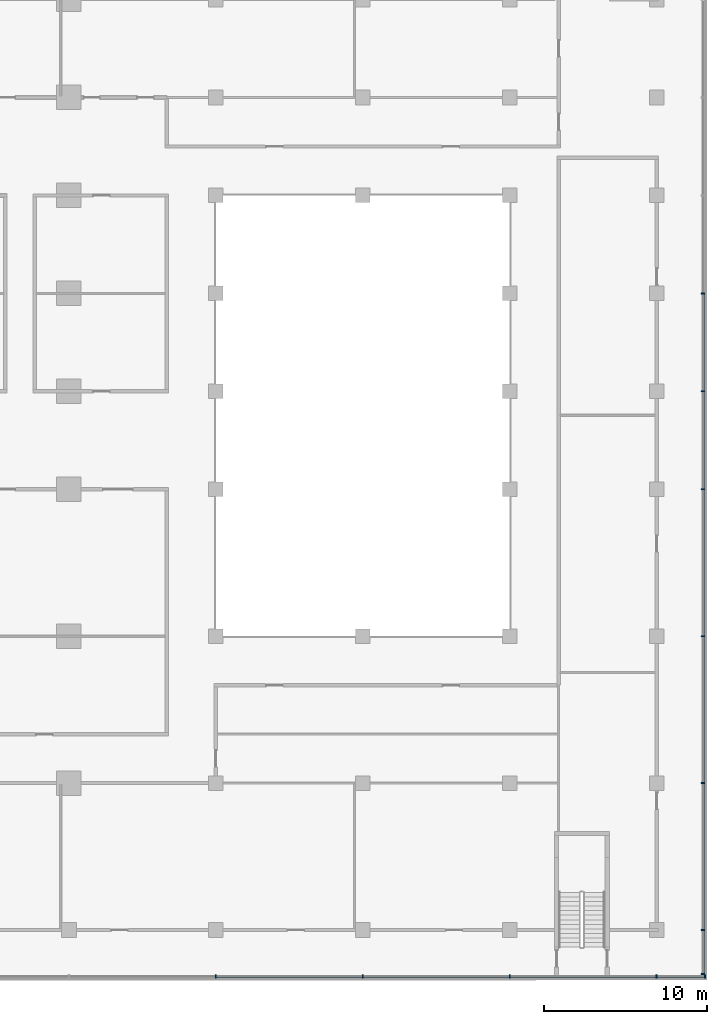
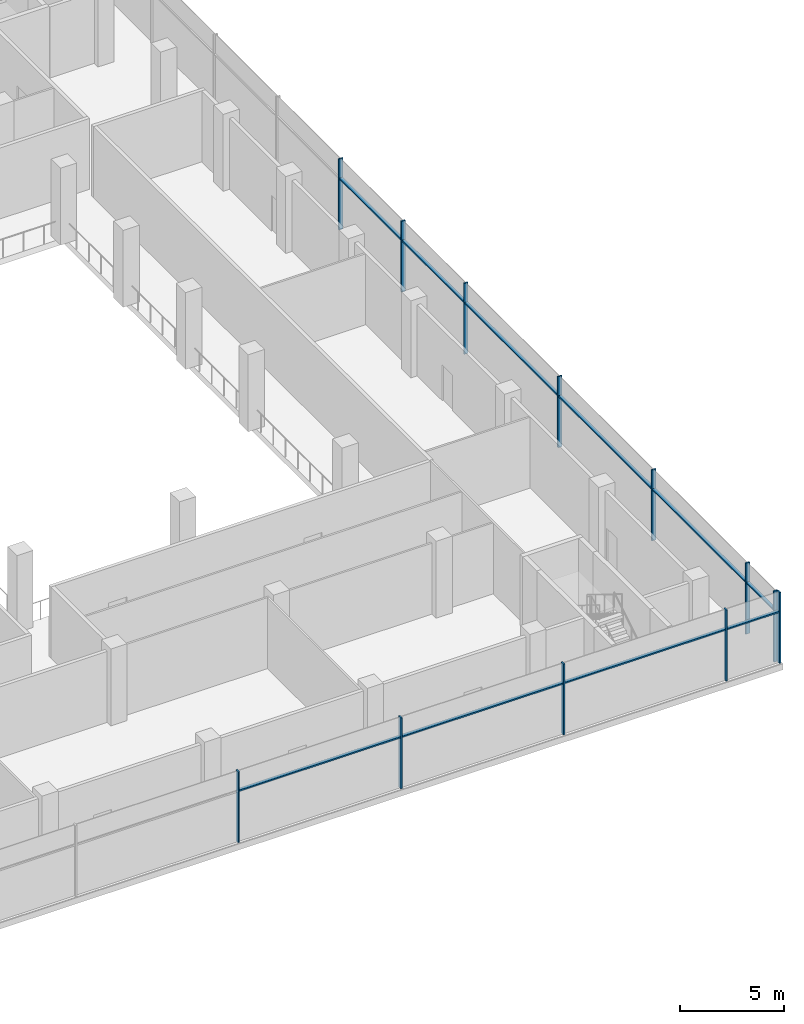
# One storey, part 5 of 22: 22 members, 2 elements without a shape of their own.
"""IFC4 building model written with IfcOpenShell, lengths in metres."""

import ifcopenshell
import ifcopenshell.guid

model = None  # the IFC model being written
_history = None  # IfcOwnerHistory: only IFC2X3 demands one
_inside = {}  # id of a spatial element -> (the spatial element, [elements in it])
_under = {}  # id of a project, library or spatial element -> (it, [spatial elements below it])
_declared = {}  # id of a project -> (the project, [libraries it declares])
_typed = {}  # id of a type object -> (the type object, [elements of that type])
_made_of = {}  # id of a material, layer set ... -> (it, [elements and type objects made of it])


def new_model(schema):
    """Start an empty IFC model of exactly this schema.

    Asked for "IFC4X3", IfcOpenShell would pick the latest addendum, in which some entities
    have other attributes; the version numbers below select the first issue.
    IFC2X3 requires an IfcOwnerHistory on every rooted entity: one is made here for all.
    """
    global model, _history
    if schema == "IFC4X3":
        model = ifcopenshell.file(schema_version=(4, 3, 0, 0))
    else:
        model = ifcopenshell.file(schema=schema)
    _inside.clear()
    _under.clear()
    _declared.clear()
    _typed.clear()
    _made_of.clear()
    _history = None
    if model.schema == "IFC2X3":
        org = make("IfcOrganization", Name="unknown")
        user = make(
            "IfcPersonAndOrganization",
            ThePerson=make("IfcPerson", FamilyName="unknown"),
            TheOrganization=org,
        )
        app = make(
            "IfcApplication",
            ApplicationDeveloper=org,
            Version="unknown",
            ApplicationFullName="unknown",
            ApplicationIdentifier="unknown",
        )
        _history = make(
            "IfcOwnerHistory",
            OwningUser=user,
            OwningApplication=app,
            ChangeAction="ADDED",
            CreationDate=0,
        )
    return model


def make(cls, **values):
    """One entity of the class cls with the attributes given. An attribute that is None is left unset."""
    return model.create_entity(
        cls, **{name: value for name, value in values.items() if value is not None}
    )


def rooted(cls, **values):
    """An entity with a GlobalId (a new one), such as an element, a storey or a relation."""
    return make(cls, GlobalId=ifcopenshell.guid.new(), OwnerHistory=_history, **values)


def si_unit(unit_type, name, prefix=None):
    """IfcSIUnit, for example si_unit("LENGTHUNIT", "METRE", prefix="MILLI")."""
    return make("IfcSIUnit", UnitType=unit_type, Prefix=prefix, Name=name)


def assignment(units):
    """IfcUnitAssignment: the units of a project."""
    return None if units is None else make("IfcUnitAssignment", Units=units)


def point(xyz):
    """IfcCartesianPoint."""
    return None if xyz is None else make("IfcCartesianPoint", Coordinates=xyz)


def direction(xyz):
    """IfcDirection."""
    return None if xyz is None else make("IfcDirection", DirectionRatios=xyz)


def frame(location, z_axis=None, x_axis=None):
    """IfcAxis2Placement3D, a coordinate frame: its origin and axes. An axis left out is left unset."""
    return make(
        "IfcAxis2Placement3D",
        Location=point(location),
        Axis=direction(z_axis),
        RefDirection=direction(x_axis),
    )


def frame_2d(location, x_axis=None):
    """IfcAxis2Placement2D, a coordinate frame in the plane: its origin and x axis."""
    return make(
        "IfcAxis2Placement2D", Location=point(location), RefDirection=direction(x_axis)
    )


def origin():
    """The frame at (0, 0, 0) with its axes left unset."""
    return frame((0.0, 0.0, 0.0))


def origin_2d():
    """The frame at (0, 0) in the plane with its x axis left unset."""
    return frame_2d((0.0, 0.0))


def place(relative_to, where):
    """IfcLocalPlacement: puts the frame where relative to a parent placement (None: the world)."""
    return make(
        "IfcLocalPlacement", PlacementRelTo=relative_to, RelativePlacement=where
    )


def context(
    kind, dimensions, precision=None, world=None, true_north=None, identifier=None
):
    """IfcGeometricRepresentationContext, for example the 3D "Model" context."""
    return make(
        "IfcGeometricRepresentationContext",
        ContextIdentifier=identifier,
        ContextType=kind,
        CoordinateSpaceDimension=dimensions,
        Precision=precision,
        WorldCoordinateSystem=world,
        TrueNorth=true_north,
    )


def subcontext(parent, identifier, kind, view, scale=None):
    """IfcGeometricRepresentationSubContext, for example "Body" below "Model"."""
    return make(
        "IfcGeometricRepresentationSubContext",
        ContextIdentifier=identifier,
        ContextType=kind,
        ParentContext=parent,
        TargetScale=scale,
        TargetView=view,
    )


def project(units=None, contexts=None):
    """IfcProject with its units and contexts."""
    return rooted(
        "IfcProject",
        Name="project",
        RepresentationContexts=contexts,
        UnitsInContext=assignment(units),
    )


def spatial(cls, under=None, at=None, **own):
    """A site, building, storey or space (cls), placed at a placement, below another one or the project."""
    s = rooted(cls, ObjectPlacement=at, **own)
    if under is not None:
        _under.setdefault(under.id(), (under, []))[1].append(s)
    return s


def profile(cls, at=None, kind="AREA", **sizes):
    """A parametric profile (cls). Its sizes go by their IFC names, for example OverallWidth=200.0."""
    return make(cls, ProfileType=kind, Position=at, **sizes)


def rectangle(**sizes):
    """IfcRectangleProfileDef."""
    return profile("IfcRectangleProfileDef", **sizes)


def extrude(swept, where, along, depth):
    """IfcExtrudedAreaSolid: the profile swept, set in the frame where, extruded along a direction by depth."""
    return make(
        "IfcExtrudedAreaSolid",
        SweptArea=swept,
        Position=where,
        ExtrudedDirection=direction(along),
        Depth=depth,
    )


def shape(context_of_items, identifier, shape_type, items):
    """IfcShapeRepresentation: the items that make up one representation, for example the "Body"."""
    return make(
        "IfcShapeRepresentation",
        ContextOfItems=context_of_items,
        RepresentationIdentifier=identifier,
        RepresentationType=shape_type,
        Items=items,
    )


def material(Name=None, Category=None):
    """IfcMaterial."""
    return make("IfcMaterial", Name=Name, Category=Category)


def material_profile(
    of_material, cross_section, Name=None, Category=None, Priority=None
):
    """IfcMaterialProfile: a cross section and its material."""
    return make(
        "IfcMaterialProfile",
        Name=Name,
        Material=of_material,
        Profile=cross_section,
        Priority=Priority,
        Category=Category,
    )


def profile_set(profiles, Name=None, composite=None):
    """IfcMaterialProfileSet."""
    return make(
        "IfcMaterialProfileSet",
        Name=Name,
        MaterialProfiles=profiles,
        CompositeProfile=composite,
    )


def made_of(thing, what):
    """Note that an element or type object is made of a material, layer set ...; save() writes the relation."""
    if what is not None:
        _made_of.setdefault(what.id(), (what, []))[1].append(thing)
    return thing


def type_object(cls, material=None, **own):
    """A type object (cls), such as IfcWallType, which elements share."""
    return made_of(rooted(cls, **own), material)


def element(
    cls,
    number,
    at=None,
    inside=None,
    cuts=None,
    type_object=None,
    material=None,
    context=None,
    identifier="Body",
    shape_type=None,
    held_by="IfcProductDefinitionShape",
    body=None,
    shapes=None,
    **own,
):
    """One element of the class cls, such as IfcWall. Its Tag is "e" and its number.

    at: its placement. inside: the storey or other place that contains it. cuts: it is an
    opening in that element (IfcRelVoidsElement). A single representation is given by context,
    identifier, shape_type and body (its items); several are given by shapes. held_by: the class
    of the entity that holds the representations. save() writes the other relations.
    """
    e = rooted(cls, Tag="e%d" % number, ObjectPlacement=at, **own)
    if body is not None:
        shapes = [shape(context, identifier, shape_type, body)]
    if shapes is not None:
        e.Representation = make(held_by, Representations=shapes)
    if inside is not None:
        _inside.setdefault(inside.id(), (inside, []))[1].append(e)
    if cuts is not None:
        rooted(
            "IfcRelVoidsElement", RelatingBuildingElement=cuts, RelatedOpeningElement=e
        )
    if type_object is not None:
        _typed.setdefault(type_object.id(), (type_object, []))[1].append(e)
    return made_of(e, material)


def aggregate(whole, parts):
    """IfcRelAggregates: a whole, such as a stair, and the parts it consists of."""
    return rooted("IfcRelAggregates", RelatingObject=whole, RelatedObjects=parts)


def save(model, path):
    """Write the relations noted so far, then the file.

    IfcRelAggregates (storeys below a building ...), IfcRelContainedInSpatialStructure (elements
    in a storey), IfcRelDefinesByType, IfcRelAssociatesMaterial and IfcRelDeclares: one each for
    every whole, place, type object, material and project.
    """
    for whole, parts in _under.values():
        aggregate(whole, parts)
    for where, things in _inside.values():
        rooted(
            "IfcRelContainedInSpatialStructure",
            RelatedElements=things,
            RelatingStructure=where,
        )
    for kind, things in _typed.values():
        rooted("IfcRelDefinesByType", RelatedObjects=things, RelatingType=kind)
    for what, things in _made_of.values():
        rooted("IfcRelAssociatesMaterial", RelatedObjects=things, RelatingMaterial=what)
    for by, libraries in _declared.values():
        rooted("IfcRelDeclares", RelatingContext=by, RelatedDefinitions=libraries)
    model.write(path)


model = new_model("IFC4")

# Units and contexts
model_context = context("Model", 3, precision=1e-05, world=origin(), true_north=direction((0.0, 1.0)))
body_context = subcontext(model_context, "Body", "Model", "MODEL_VIEW")
ifc_project = project(units=[si_unit("LENGTHUNIT", "METRE"), si_unit("AREAUNIT", "SQUARE_METRE"), si_unit("VOLUMEUNIT", "CUBIC_METRE"), si_unit("PLANEANGLEUNIT", "RADIAN"), si_unit("MASSUNIT", "GRAM", prefix="KILO")], contexts=[model_context])

# Site, building, storey
site_placement = place(None, origin())
site = spatial("IfcSite", under=ifc_project, at=site_placement, CompositionType="ELEMENT")
building_placement = place(site_placement, origin())
building = spatial("IfcBuilding", under=site, at=building_placement, Name="Finial Court Residences", CompositionType="ELEMENT")
storey_placement = place(building_placement, frame((0.0, 0.0, 23.5)))
storey = spatial("IfcBuildingStorey", under=building, at=storey_placement, Name="L04", CompositionType="ELEMENT", Elevation=23.5)

# Curtain wall, members
ifc_material = material(Name="Bronze anodised aluminium", Category="aluminium")
curtain_wall_type = type_object("IfcCurtainWallType", Name="Podium curtain wall", PredefinedType="NOTDEFINED", material=ifc_material)
curtain_wall_1_placement = place(storey_placement, origin())
curtain_wall_1 = element("IfcCurtainWall", 1, at=curtain_wall_1_placement, inside=storey, type_object=curtain_wall_type, Name="E-L04-CW-E2", PredefinedType="NOTDEFINED")
ifc_material_profile_1 = material_profile(ifc_material, rectangle(XDim=0.22509765625, YDim=0.080078125, at=origin_2d()), Name="CW5 mullion 80 x 225")
ifc_profile_set_1 = profile_set([ifc_material_profile_1], Name="Bronze anodised aluminium")
member_type_1 = type_object("IfcMemberType", Name="CW5 mullion 80 x 225", PredefinedType="MULLION", material=ifc_profile_set_1)
member_1_placement = place(storey_placement, frame((61.35009765625, -34.197509765625, 0.0), z_axis=(0.0, 0.0, 1.0), x_axis=(-1.0, 0.0, 0.0)))
member_1 = element("IfcMember", 2, at=member_1_placement, type_object=member_type_1, Name="CW5 mullion 1", PredefinedType="MULLION", context=body_context, shape_type="SweptSolid", body=[
    extrude(rectangle(XDim=0.22509765625, YDim=0.080078125, at=origin_2d()), origin(), (0.0, 0.0, 1.0), 4.14990234375),
])
member_2_placement = place(storey_placement, frame((61.35009765625, -31.5, 0.0), z_axis=(0.0, 0.0, 1.0), x_axis=(-1.0, 0.0, 0.0)))
member_2 = element("IfcMember", 3, at=member_2_placement, type_object=member_type_1, Name="CW5 mullion 2", PredefinedType="MULLION", context=body_context, shape_type="SweptSolid", body=[
    extrude(rectangle(XDim=0.22509765625, YDim=0.080078125, at=origin_2d()), origin(), (0.0, 0.0, 1.0), 4.14990234375),
])
member_3_placement = place(storey_placement, frame((61.35009765625, -22.5, 0.0), z_axis=(0.0, 0.0, 1.0), x_axis=(-1.0, 0.0, 0.0)))
member_3 = element("IfcMember", 4, at=member_3_placement, type_object=member_type_1, Name="CW5 mullion 3", PredefinedType="MULLION", context=body_context, shape_type="SweptSolid", body=[
    extrude(rectangle(XDim=0.22509765625, YDim=0.080078125, at=origin_2d()), origin(), (0.0, 0.0, 1.0), 4.14990234375),
])
member_4_placement = place(storey_placement, frame((61.35009765625, -13.5, 0.0), z_axis=(0.0, 0.0, 1.0), x_axis=(-1.0, 0.0, 0.0)))
member_4 = element("IfcMember", 5, at=member_4_placement, type_object=member_type_1, Name="CW5 mullion 4", PredefinedType="MULLION", context=body_context, shape_type="SweptSolid", body=[
    extrude(rectangle(XDim=0.22509765625, YDim=0.080078125, at=origin_2d()), origin(), (0.0, 0.0, 1.0), 4.14990234375),
])
member_5_placement = place(storey_placement, frame((61.35009765625, -4.5, 0.0), z_axis=(0.0, 0.0, 1.0), x_axis=(-1.0, 0.0, 0.0)))
member_5 = element("IfcMember", 6, at=member_5_placement, type_object=member_type_1, Name="CW5 mullion 5", PredefinedType="MULLION", context=body_context, shape_type="SweptSolid", body=[
    extrude(rectangle(XDim=0.22509765625, YDim=0.080078125, at=origin_2d()), origin(), (0.0, 0.0, 1.0), 4.14990234375),
])
member_6_placement = place(storey_placement, frame((61.35009765625, 1.5, 0.0), z_axis=(0.0, 0.0, 1.0), x_axis=(-1.0, 0.0, 0.0)))
member_6 = element("IfcMember", 7, at=member_6_placement, type_object=member_type_1, Name="CW5 mullion 6", PredefinedType="MULLION", context=body_context, shape_type="SweptSolid", body=[
    extrude(rectangle(XDim=0.22509765625, YDim=0.080078125, at=origin_2d()), origin(), (0.0, 0.0, 1.0), 4.14990234375),
])
member_7_placement = place(storey_placement, frame((61.35009765625, 7.5, 0.0), z_axis=(0.0, 0.0, 1.0), x_axis=(-1.0, 0.0, 0.0)))
member_7 = element("IfcMember", 8, at=member_7_placement, type_object=member_type_1, Name="CW5 mullion 7", PredefinedType="MULLION", context=body_context, shape_type="SweptSolid", body=[
    extrude(rectangle(XDim=0.22509765625, YDim=0.080078125, at=origin_2d()), origin(), (0.0, 0.0, 1.0), 4.14990234375),
])

curtain_wall_2_placement = place(storey_placement, origin())
curtain_wall_2 = element("IfcCurtainWall", 9, at=curtain_wall_2_placement, inside=storey, type_object=curtain_wall_type, Name="E-L04-CW-S3", PredefinedType="NOTDEFINED")
member_8_placement = place(storey_placement, frame((31.5, -34.35009765625, 0.0), z_axis=(0.0, 0.0, 1.0), x_axis=(0.0, 1.0, 0.0)))
member_8 = element("IfcMember", 10, at=member_8_placement, type_object=member_type_1, Name="CW5 mullion 11", PredefinedType="MULLION", context=body_context, shape_type="SweptSolid", body=[
    extrude(rectangle(XDim=0.22509765625, YDim=0.080078125, at=origin_2d()), origin(), (0.0, 0.0, 1.0), 4.14990234375),
])
member_9_placement = place(storey_placement, frame((40.5, -34.35009765625, 0.0), z_axis=(0.0, 0.0, 1.0), x_axis=(0.0, 1.0, 0.0)))
member_9 = element("IfcMember", 11, at=member_9_placement, type_object=member_type_1, Name="CW5 mullion 12", PredefinedType="MULLION", context=body_context, shape_type="SweptSolid", body=[
    extrude(rectangle(XDim=0.22509765625, YDim=0.080078125, at=origin_2d()), origin(), (0.0, 0.0, 1.0), 4.14990234375),
])
member_10_placement = place(storey_placement, frame((49.5, -34.35009765625, 0.0), z_axis=(0.0, 0.0, 1.0), x_axis=(0.0, 1.0, 0.0)))
member_10 = element("IfcMember", 12, at=member_10_placement, type_object=member_type_1, Name="CW5 mullion 13", PredefinedType="MULLION", context=body_context, shape_type="SweptSolid", body=[
    extrude(rectangle(XDim=0.22509765625, YDim=0.080078125, at=origin_2d()), origin(), (0.0, 0.0, 1.0), 4.14990234375),
])
member_11_placement = place(storey_placement, frame((58.5, -34.35009765625, 0.0), z_axis=(0.0, 0.0, 1.0), x_axis=(0.0, 1.0, 0.0)))
member_11 = element("IfcMember", 13, at=member_11_placement, type_object=member_type_1, Name="CW5 mullion 14", PredefinedType="MULLION", context=body_context, shape_type="SweptSolid", body=[
    extrude(rectangle(XDim=0.22509765625, YDim=0.080078125, at=origin_2d()), origin(), (0.0, 0.0, 1.0), 4.14990234375),
])
member_12_placement = place(storey_placement, frame((61.4599609375, -34.35009765625, 0.0), z_axis=(0.0, 0.0, 1.0), x_axis=(0.0, 1.0, 0.0)))
member_12 = element("IfcMember", 14, at=member_12_placement, type_object=member_type_1, Name="CW5 mullion 15", PredefinedType="MULLION", context=body_context, shape_type="SweptSolid", body=[
    extrude(rectangle(XDim=0.22509765625, YDim=0.080078125, at=origin_2d()), origin(), (0.0, 0.0, 1.0), 4.14990234375),
])

# Member
ifc_material_profile_2 = material_profile(ifc_material, rectangle(XDim=0.175048828125, YDim=0.080078125, at=origin_2d()), Name="CW5 transom 80 x 175")
ifc_profile_set_2 = profile_set([ifc_material_profile_2], Name="Bronze anodised aluminium")
member_type_2 = type_object("IfcMemberType", Name="CW5 transom 80 x 175", PredefinedType="USERDEFINED", material=ifc_profile_set_2)
member_13_placement = place(storey_placement, frame((61.35009765625, -34.157470703125, 3.0), z_axis=(0.0, 1.0, 0.0), x_axis=(-1.0, 0.0, 0.0)))
member_13 = element("IfcMember", 15, at=member_13_placement, type_object=member_type_2, Name="CW5 transom 1.1", ObjectType="TRANSOM", PredefinedType="USERDEFINED", context=body_context, shape_type="SweptSolid", body=[
    extrude(rectangle(XDim=0.175048828125, YDim=0.080078125, at=origin_2d()), origin(), (0.0, 0.0, 1.0), 2.617431640625),
])

member_14_placement = place(storey_placement, frame((61.35009765625, -31.4599609375, 3.0), z_axis=(0.0, 1.0, 0.0), x_axis=(-1.0, 0.0, 0.0)))
member_14 = element("IfcMember", 16, at=member_14_placement, type_object=member_type_2, Name="CW5 transom 2.1", ObjectType="TRANSOM", PredefinedType="USERDEFINED", context=body_context, shape_type="SweptSolid", body=[
    extrude(rectangle(XDim=0.175048828125, YDim=0.080078125, at=origin_2d()), origin(), (0.0, 0.0, 1.0), 8.919921875),
])

member_15_placement = place(storey_placement, frame((61.35009765625, -22.4599609375, 3.0), z_axis=(0.0, 1.0, 0.0), x_axis=(-1.0, 0.0, 0.0)))
member_15 = element("IfcMember", 17, at=member_15_placement, type_object=member_type_2, Name="CW5 transom 3.1", ObjectType="TRANSOM", PredefinedType="USERDEFINED", context=body_context, shape_type="SweptSolid", body=[
    extrude(rectangle(XDim=0.175048828125, YDim=0.080078125, at=origin_2d()), origin(), (0.0, 0.0, 1.0), 8.919921875),
])

member_16_placement = place(storey_placement, frame((61.35009765625, -13.4599609375, 3.0), z_axis=(0.0, 1.0, 0.0), x_axis=(-1.0, 0.0, 0.0)))
member_16 = element("IfcMember", 18, at=member_16_placement, type_object=member_type_2, Name="CW5 transom 4.1", ObjectType="TRANSOM", PredefinedType="USERDEFINED", context=body_context, shape_type="SweptSolid", body=[
    extrude(rectangle(XDim=0.175048828125, YDim=0.080078125, at=origin_2d()), origin(), (0.0, 0.0, 1.0), 8.919921875),
])

member_17_placement = place(storey_placement, frame((61.35009765625, -4.4599609375, 3.0), z_axis=(0.0, 1.0, 0.0), x_axis=(-1.0, 0.0, 0.0)))
member_17 = element("IfcMember", 19, at=member_17_placement, type_object=member_type_2, Name="CW5 transom 5.1", ObjectType="TRANSOM", PredefinedType="USERDEFINED", context=body_context, shape_type="SweptSolid", body=[
    extrude(rectangle(XDim=0.175048828125, YDim=0.080078125, at=origin_2d()), origin(), (0.0, 0.0, 1.0), 5.919921875),
])

member_18_placement = place(storey_placement, frame((61.35009765625, 1.5400390625, 3.0), z_axis=(0.0, 1.0, 0.0), x_axis=(-1.0, 0.0, 0.0)))
member_18 = element("IfcMember", 20, at=member_18_placement, type_object=member_type_2, Name="CW5 transom 6.1", ObjectType="TRANSOM", PredefinedType="USERDEFINED", context=body_context, shape_type="SweptSolid", body=[
    extrude(rectangle(XDim=0.175048828125, YDim=0.080078125, at=origin_2d()), origin(), (0.0, 0.0, 1.0), 5.919921875),
])

aggregate(curtain_wall_1, [member_1, member_2, member_3, member_4, member_5, member_6, member_7, member_13, member_14, member_15, member_16, member_17, member_18])

member_19_placement = place(storey_placement, frame((31.5400390625, -34.35009765625, 3.0), z_axis=(1.0, 0.0, 0.0), x_axis=(0.0, 1.0, 0.0)))
member_19 = element("IfcMember", 21, at=member_19_placement, type_object=member_type_2, Name="CW5 transom 11.1", ObjectType="TRANSOM", PredefinedType="USERDEFINED", context=body_context, shape_type="SweptSolid", body=[
    extrude(rectangle(XDim=0.175048828125, YDim=0.080078125, at=origin_2d()), origin(), (0.0, 0.0, 1.0), 8.919921875),
])

member_20_placement = place(storey_placement, frame((40.5400390625, -34.35009765625, 3.0), z_axis=(1.0, 0.0, 0.0), x_axis=(0.0, 1.0, 0.0)))
member_20 = element("IfcMember", 22, at=member_20_placement, type_object=member_type_2, Name="CW5 transom 12.1", ObjectType="TRANSOM", PredefinedType="USERDEFINED", context=body_context, shape_type="SweptSolid", body=[
    extrude(rectangle(XDim=0.175048828125, YDim=0.080078125, at=origin_2d()), origin(), (0.0, 0.0, 1.0), 8.919921875),
])

member_21_placement = place(storey_placement, frame((49.5400390625, -34.35009765625, 3.0), z_axis=(1.0, 0.0, 0.0), x_axis=(0.0, 1.0, 0.0)))
member_21 = element("IfcMember", 23, at=member_21_placement, type_object=member_type_2, Name="CW5 transom 13.1", ObjectType="TRANSOM", PredefinedType="USERDEFINED", context=body_context, shape_type="SweptSolid", body=[
    extrude(rectangle(XDim=0.175048828125, YDim=0.080078125, at=origin_2d()), origin(), (0.0, 0.0, 1.0), 8.919921875),
])

member_22_placement = place(storey_placement, frame((58.5400390625, -34.35009765625, 3.0), z_axis=(1.0, 0.0, 0.0), x_axis=(0.0, 1.0, 0.0)))
member_22 = element("IfcMember", 24, at=member_22_placement, type_object=member_type_2, Name="CW5 transom 14.1", ObjectType="TRANSOM", PredefinedType="USERDEFINED", context=body_context, shape_type="SweptSolid", body=[
    extrude(rectangle(XDim=0.175048828125, YDim=0.080078125, at=origin_2d()), origin(), (0.0, 0.0, 1.0), 2.8798828125),
])

aggregate(curtain_wall_2, [member_8, member_9, member_10, member_11, member_12, member_19, member_20, member_21, member_22])

save(model, "model.ifc")
